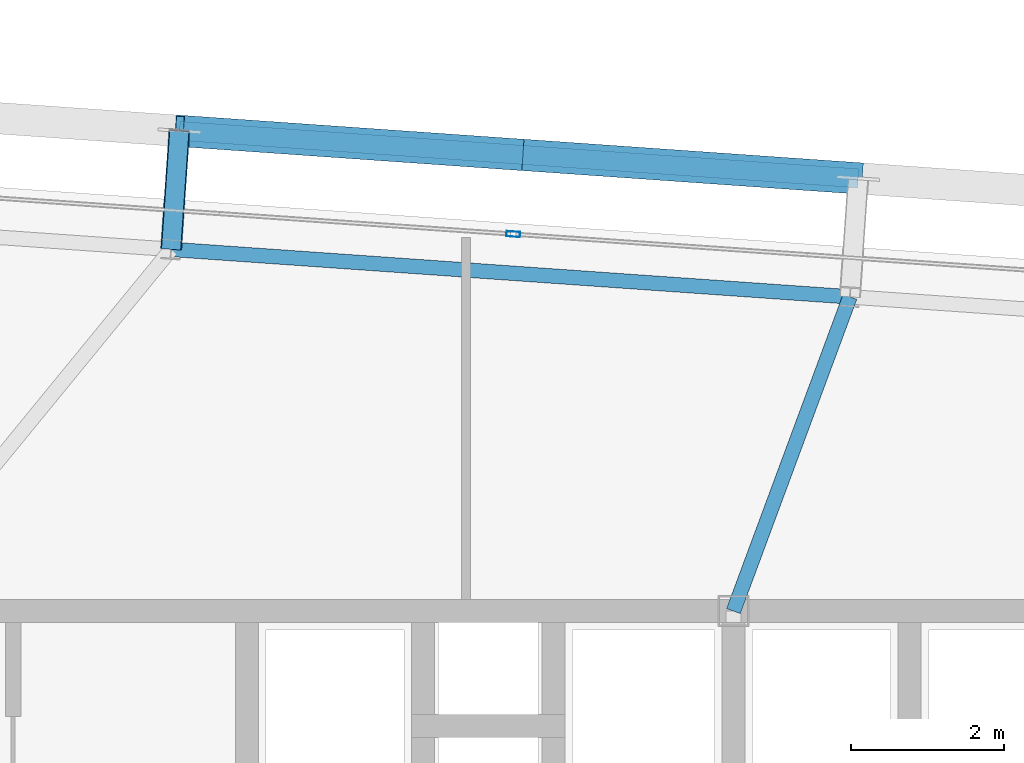
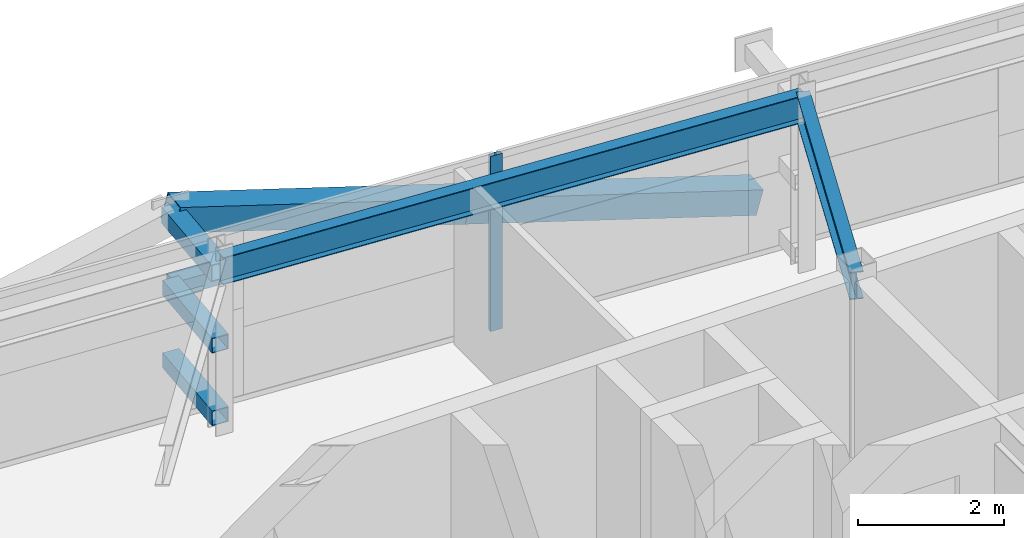
# One storey, part 22 of 39: 7 members, 2 beams, 1 element without a shape of its own.
"""IFC4 building model written with IfcOpenShell, lengths in metres."""

from ifc_helpers import new_model, si_unit, direction, frame, origin, origin_2d, place, context, subcontext, project, spatial, hollow_rectangle, i_section, extrude, source, transform, mapped, material, layer, layer_set, material_profile, profile_set, type_object, element, aggregate, save


model = new_model("IFC4")

# Units and contexts
model_context = context("Model", 3, precision=1e-05, world=origin(), true_north=direction((0.0, 1.0)))
body_context = subcontext(model_context, "Body", "Model", "MODEL_VIEW")
ifc_project = project(units=[si_unit("LENGTHUNIT", "METRE"), si_unit("AREAUNIT", "SQUARE_METRE"), si_unit("VOLUMEUNIT", "CUBIC_METRE"), si_unit("PLANEANGLEUNIT", "RADIAN"), si_unit("MASSUNIT", "GRAM", prefix="KILO")], contexts=[model_context])

# Site, building, storey
site_placement = place(None, origin())
site = spatial("IfcSite", under=ifc_project, at=site_placement, CompositionType="ELEMENT")
building_placement = place(site_placement, origin())
building = spatial("IfcBuilding", under=site, at=building_placement, Name="Taldren Reach Tower", CompositionType="ELEMENT")
storey_placement = place(building_placement, frame((0.0, 0.0, 123.550048828125)))
storey = spatial("IfcBuildingStorey", under=building, at=storey_placement, Name="L37", CompositionType="ELEMENT", Elevation=123.550048828125)

# Members
ifc_material_1 = material(Name="Steel Gr 450 (C450L0)", Category="steel")
ifc_material_profile_1 = material_profile(ifc_material_1, hollow_rectangle(XDim=0.27490234375, YDim=0.27490234375, WallThickness=0.00927734375, at=origin_2d()), Name="275x275x9.3SHS")
ifc_profile_set_1 = profile_set([ifc_material_profile_1], Name="Steel Gr 450 (C450L0)")
member_type_1 = type_object("IfcMemberType", Name="MB-TIE273", PredefinedType="STRUT", material=ifc_profile_set_1)
shared_shape_1 = source(origin(), body_context, "Body", "SweptSolid", [
    extrude(hollow_rectangle(XDim=0.27490234375, YDim=0.27490234375, WallThickness=0.00927734375, at=origin_2d()), origin(), (0.0, 0.0, 1.0), 1.5498046875),
])
member_1_placement = place(storey_placement, frame((31.861328125, 36.719970703125, 2.64990234375), z_axis=(0.069780535098, 0.997562367434, 0.0), x_axis=(-0.997562367434, 0.069780535098, 0.0)))
element("IfcMember", 1, at=member_1_placement, inside=storey, type_object=member_type_1, Name="Exoskeleton diaphragm tie strut B3-N3 L37", PredefinedType="STRUT", context=body_context, shape_type="MappedRepresentation", body=[
    mapped(shared_shape_1, transform((0.0, 0.0, 0.0), scale=1.0)),
])
ifc_material_2 = material(Name="Steel Gr 350 (C350L0)", Category="steel")
ifc_material_profile_2 = material_profile(ifc_material_2, hollow_rectangle(XDim=0.25, YDim=0.25, WallThickness=0.010009765625, at=origin_2d()), Name="250x250x10.0SHS")
ifc_profile_set_2 = profile_set([ifc_material_profile_2], Name="Steel Gr 350 (C350L0)")
member_type_2 = type_object("IfcMemberType", Name="MB-POST250", PredefinedType="POST", material=ifc_profile_set_2)
shared_shape_2 = source(origin(), body_context, "Body", "SweptSolid", [
    extrude(hollow_rectangle(XDim=0.25, YDim=0.25, WallThickness=0.010009765625, at=origin_2d()), origin(), (0.0, 0.0, 1.0), 1.5498046875),
])
for number, where, z_axis, x_axis, name in (
    (2, (31.861328125, 36.719970703125, 0.219970703125), (0.069780535098, 0.997562367434, 0.0), (-0.997562367434, 0.069780535098, 0.0), "Exoskeleton base diaphragm tie strut B3-N3 L37"),
    (3, (31.861328125, 36.719970703125, 1.43505859375), (0.069780535098, 0.997562367434, 0.0), (-0.997562367434, 0.069780535098, 0.0), "Exoskeleton mid-tier diaphragm tie B3-N3 L37"),
):
    element("IfcMember", number, at=place(storey_placement, frame(where, z_axis=z_axis, x_axis=x_axis)), inside=storey, type_object=member_type_2, Name=name, PredefinedType="POST", context=body_context, shape_type="MappedRepresentation", body=[
        mapped(shared_shape_2, transform((0.0, 0.0, 0.0), scale=1.0)),
    ])

# Beams
ifc_material_3 = material(Name="Steel Gr 350 (350PLUS)", Category="steel")
ifc_material_profile_3 = material_profile(ifc_material_3, i_section(OverallWidth=0.18994140625, OverallDepth=0.4541015625, WebThickness=0.008544921875, FlangeThickness=0.0126953125, at=origin_2d()), Name="460UB67.1")
ifc_profile_set_3 = profile_set([ifc_material_profile_3], Name="Steel Gr 350 (350PLUS)")
beam_type_1 = type_object("IfcBeamType", Name="SP-UB460B", PredefinedType="SPANDREL", material=ifc_profile_set_3)
shared_shape_3 = source(origin(), body_context, "Body", "SweptSolid", [
    extrude(i_section(OverallWidth=0.18994140625, OverallDepth=0.4541015625, WebThickness=0.008544921875, FlangeThickness=0.0126953125, at=origin_2d()), origin(), (0.0, 0.0, 1.0), 8.880126953125),
])
beam_1_placement = place(storey_placement, frame((40.7197265625, 36.100341796875, 2.702880859375), z_axis=(-0.997562566276, 0.06977769246, 0.0), x_axis=(-0.06977769246, -0.997562566276, 0.0)))
element("IfcBeam", 4, at=beam_1_placement, inside=storey, type_object=beam_type_1, Name="Perimeter spandrel B3 N4-N3 L37", PredefinedType="SPANDREL", context=body_context, shape_type="MappedRepresentation", body=[
    mapped(shared_shape_3, transform((0.0, 0.0, 0.0), scale=1.0)),
])
ifc_material_profile_4 = material_profile(ifc_material_3, i_section(OverallWidth=0.19091796875, OverallDepth=0.4599609375, WebThickness=0.010009765625, FlangeThickness=0.01611328125, at=origin_2d()), Name="460UB82.1")
ifc_profile_set_4 = profile_set([ifc_material_profile_4], Name="Steel Gr 350 (350PLUS)")
beam_type_2 = type_object("IfcBeamType", Name="BM-UB460A", PredefinedType="BEAM", material=ifc_profile_set_4)
shared_shape_4 = source(origin(), body_context, "Body", "SweptSolid", [
    extrude(i_section(OverallWidth=0.19091796875, OverallDepth=0.4599609375, WebThickness=0.010009765625, FlangeThickness=0.01611328125, at=origin_2d()), origin(), (0.0, 0.0, 1.0), 4.373046875),
])
beam_2_placement = place(storey_placement, frame((39.199951171875, 32.0, 2.699951171875), z_axis=(0.347541638975, 0.937664550454, 0.0), x_axis=(-0.937664550454, 0.347541638975, 0.0)))
element("IfcBeam", 5, at=beam_2_placement, inside=storey, type_object=beam_type_2, Name="Primary floor girder B3-N4 L37", PredefinedType="BEAM", context=body_context, shape_type="MappedRepresentation", body=[
    mapped(shared_shape_4, transform((0.0, 0.0, 0.0), scale=1.0)),
])

# Members
shared_shape_5 = source(origin(), body_context, "Body", "SweptSolid", [
    extrude(hollow_rectangle(XDim=0.25, YDim=0.25, WallThickness=0.010009765625, at=origin_2d()), origin(), (0.0, 0.0, 1.0), 8.880126953125),
])
member_2_placement = place(storey_placement, frame((31.969482421875, 38.26611328125, 1.43505859375), z_axis=(0.997564479639, -0.069750333063, 0.0), x_axis=(0.069750333063, 0.997564479639, 0.0)))
element("IfcMember", 6, at=member_2_placement, inside=storey, type_object=member_type_2, Name="Exoskeleton mid-height ring chord B3-N3 L37", PredefinedType="POST", context=body_context, shape_type="MappedRepresentation", body=[
    mapped(shared_shape_5, transform((0.0, 0.0, 0.0), scale=1.0)),
])
ifc_material_profile_5 = material_profile(ifc_material_1, hollow_rectangle(XDim=0.409912109375, YDim=0.409912109375, WallThickness=0.01611328125, at=origin_2d()), Name="410x410x16.0SHS")
ifc_profile_set_5 = profile_set([ifc_material_profile_5], Name="Steel Gr 450 (C450L0)")
member_type_3 = type_object("IfcMemberType", Name="MB-EXO406", PredefinedType="BRACE", material=ifc_profile_set_5)
shared_shape_6 = source(origin(), body_context, "Body", "SweptSolid", [
    extrude(hollow_rectangle(XDim=0.409912109375, YDim=0.409912109375, WallThickness=0.01611328125, at=origin_2d()), origin(), (0.0, 0.0, 1.0), 4.603271484375),
])
for number, where, z_axis, x_axis, name in (
    (7, (40.827880859375, 37.646728515625, 0.219970703125), (-0.962185784239, 0.067250114343, 0.263962002434), (-0.069722973508, -0.997566392259, 0.0), "Exoskeleton Diagrid Brace B3-N3 L37"),
    (8, (36.398681640625, 37.956298828125, 1.43505859375), (-0.962195820062, 0.067303852699, 0.263911718699), (-0.06977769246, -0.997562566276, 0.0), "Exoskeleton Diagrid Brace B3-N3 L37"),
):
    element("IfcMember", number, at=place(storey_placement, frame(where, z_axis=z_axis, x_axis=x_axis)), inside=storey, type_object=member_type_3, Name=name, PredefinedType="BRACE", context=body_context, shape_type="MappedRepresentation", body=[
        mapped(shared_shape_6, transform((0.0, 0.0, 0.0), scale=1.0)),
    ])

# Curtain wall, member
ifc_material_4 = material(Name="Aluminium and Low-E Glass Unitised System", Category="aluminium")
ifc_layer = layer(ifc_material_4, 0.159912109375)
ifc_layer_set = layer_set([ifc_layer], Name="Aluminium and Low-E Glass Unitised System")
curtain_wall_type = type_object("IfcCurtainWallType", Name="CW-SYS-4", PredefinedType="NOTDEFINED", material=ifc_layer_set)
curtain_wall_placement = place(storey_placement, origin())
curtain_wall = element("IfcCurtainWall", 9, at=curtain_wall_placement, inside=storey, type_object=curtain_wall_type, Name="Unitised curtain wall CW-L37-N", PredefinedType="NOTDEFINED")
ifc_material_5 = material(Name="Anodised Aluminium 6063-T6", Category="aluminium")
ifc_material_profile_6 = material_profile(ifc_material_5, hollow_rectangle(XDim=0.070068359375, YDim=0.179931640625, WallThickness=0.00390625, at=origin_2d()), Name="ALU-180x70x4RHS")
ifc_profile_set_6 = profile_set([ifc_material_profile_6], Name="Anodised Aluminium 6063-T6")
member_type_4 = type_object("IfcMemberType", Name="CW-MUL-180", PredefinedType="MULLION", material=ifc_profile_set_6)
shared_shape_7 = source(origin(), body_context, "Body", "SweptSolid", [
    extrude(hollow_rectangle(XDim=0.070068359375, YDim=0.179931640625, WallThickness=0.00390625, at=origin_2d()), origin(), (0.0, 0.0, 1.0), 2.929931640625),
])
member_3_placement = place(storey_placement, frame((36.326171875, 36.9189453125, 0.0), z_axis=(0.0, 0.0, 1.0), x_axis=(-0.06975651593, -0.99756404731, 0.0)))
member_3 = element("IfcMember", 10, at=member_3_placement, type_object=member_type_4, Name="CW-4 mullion 3", PredefinedType="MULLION", context=body_context, shape_type="MappedRepresentation", body=[
    mapped(shared_shape_7, transform((0.0, 0.0, 0.0), scale=1.0)),
])
aggregate(curtain_wall, [member_3])

save(model, "model.ifc")
